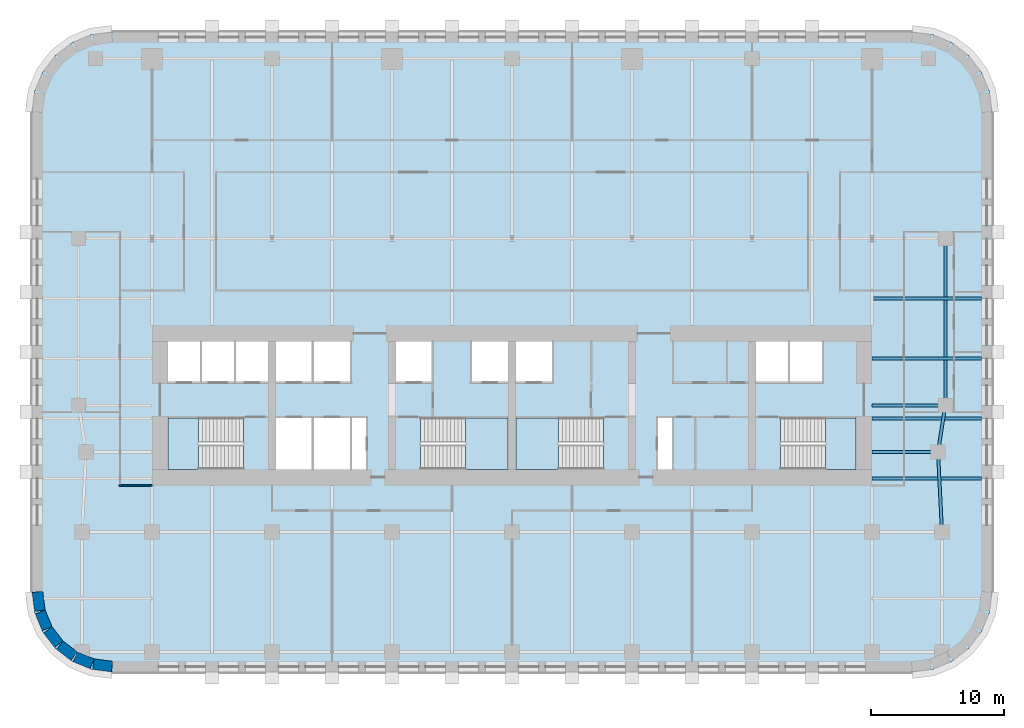
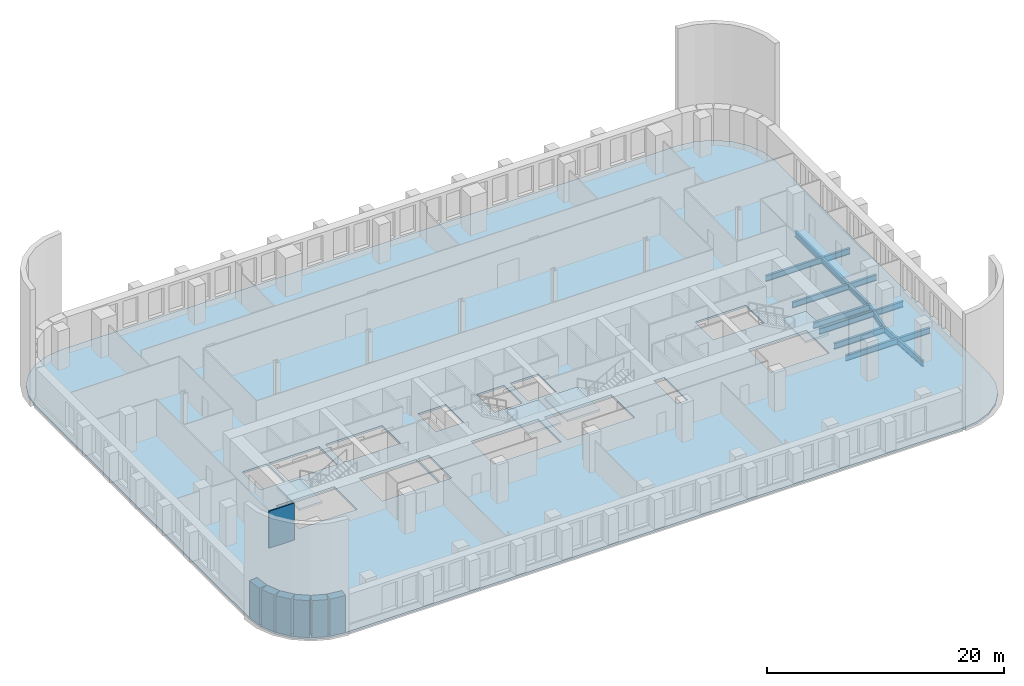
# One storey, part 2 of 12: 9 beams, 7 walls, 5 slabs, 4 elements without a shape of their own.
"""IFC4 building model written with IfcOpenShell, lengths in metres."""

from ifc_helpers import new_model, si_unit, direction, frame, frame_2d, origin, origin_2d, place, context, subcontext, project, spatial, polyline, rectangle, i_section, outline, extrude, material, layer, layer_set, material_profile, profile_set, type_object, element, aggregate, save


model = new_model("IFC4")

# Units and contexts
model_context = context("Model", 3, precision=1e-05, world=origin(), true_north=direction((0.0, 1.0)))
body_context = subcontext(model_context, "Body", "Model", "MODEL_VIEW")
ifc_project = project(units=[si_unit("LENGTHUNIT", "METRE"), si_unit("AREAUNIT", "SQUARE_METRE"), si_unit("VOLUMEUNIT", "CUBIC_METRE"), si_unit("PLANEANGLEUNIT", "RADIAN"), si_unit("MASSUNIT", "GRAM", prefix="KILO")], contexts=[model_context])

# Site, building, storey
site_placement = place(None, origin())
site = spatial("IfcSite", under=ifc_project, at=site_placement, CompositionType="ELEMENT")
building_placement = place(site_placement, origin())
building = spatial("IfcBuilding", under=site, at=building_placement, Name="Zellij Exchange Tower", CompositionType="ELEMENT")
storey_placement = place(building_placement, frame((0.0, 0.0, 88.5)))
storey = spatial("IfcBuildingStorey", under=building, at=storey_placement, Name="L18", CompositionType="ELEMENT", Elevation=88.5)

# Beams
ifc_material_1 = material(Name="Structural steel ASTM A992 Gr 50", Category="steel")
ifc_material_profile_1 = material_profile(ifc_material_1, i_section(OverallWidth=0.227783203125, OverallDepth=0.60205078125, WebThickness=0.010498046875, FlangeThickness=0.014892578125, at=origin_2d()), Name="W24x68")
ifc_profile_set_1 = profile_set([ifc_material_profile_1], Name="Structural steel ASTM A992 Gr 50")
beam_type_1 = type_object("IfcBeamType", Name="STR-BEAM W24x68", PredefinedType="BEAM", material=ifc_profile_set_1)
for number, where, z_axis, x_axis, name in (
    (1, (27.0, -13.5, -0.5009765625), (1.0, 0.0, 0.0), (0.0, 1.0, 0.0), "B5"),
    (2, (27.0, -9.0, -0.5009765625), (1.0, 0.0, 0.0), (0.0, 1.0, 0.0), "B5"),
    (3, (27.0, -4.5, -0.5009765625), (1.0, 0.0, 0.0), (0.0, 1.0, 0.0), "B5"),
    (4, (27.0, 0.0, -0.5009765625), (1.0, 0.0, 0.0), (0.0, 1.0, 0.0), "B5"),
):
    element("IfcBeam", number, at=place(storey_placement, frame(where, z_axis=z_axis, x_axis=x_axis)), inside=storey, type_object=beam_type_1, Name=name, PredefinedType="BEAM", context=body_context, shape_type="SweptSolid", body=[
        extrude(i_section(OverallWidth=0.227783203125, OverallDepth=0.60205078125, WebThickness=0.010498046875, FlangeThickness=0.014892578125, at=origin_2d()), origin(), (0.0, 0.0, 1.0), 8.199951171875),
    ])
ifc_material_profile_2 = material_profile(ifc_material_1, i_section(OverallWidth=0.22900390625, OverallDepth=0.612060546875, WebThickness=0.011962890625, FlangeThickness=0.01953125, at=origin_2d()), Name="W24x84")
ifc_profile_set_2 = profile_set([ifc_material_profile_2], Name="Structural steel ASTM A992 Gr 50")
beam_type_2 = type_object("IfcBeamType", Name="STR-EDGE GIRDER W24x84", PredefinedType="BEAM", material=ifc_profile_set_2)
beam_1_placement = place(storey_placement, frame((32.25, -17.5, -0.506103515625), z_axis=(-0.049945724537, 0.998751933465, 0.0), x_axis=(-0.998751933465, -0.049945724537, 0.0)))
element("IfcBeam", 5, at=beam_1_placement, inside=storey, type_object=beam_type_2, Name="EB6", PredefinedType="BEAM", context=body_context, shape_type="SweptSolid", body=[
    extrude(i_section(OverallWidth=0.22900390625, OverallDepth=0.612060546875, WebThickness=0.011962890625, FlangeThickness=0.01953125, at=origin_2d()), origin(), (0.0, 0.0, 1.0), 6.007568359375),
])
beam_2_placement = place(storey_placement, frame((31.949951171875, -11.5, -0.506103515625), z_axis=(0.155251283593, 0.987875011802, 0.0), x_axis=(-0.987875011802, 0.155251283593, 0.0)))
element("IfcBeam", 6, at=beam_2_placement, inside=storey, type_object=beam_type_2, Name="EB6", PredefinedType="BEAM", context=body_context, shape_type="SweptSolid", body=[
    extrude(i_section(OverallWidth=0.22900390625, OverallDepth=0.612060546875, WebThickness=0.011962890625, FlangeThickness=0.01953125, at=origin_2d()), origin(), (0.0, 0.0, 1.0), 3.54296875),
])
beam_3_placement = place(storey_placement, frame((32.5, -8.0, -0.506103515625), z_axis=(0.0, 1.0, 0.0), x_axis=(-1.0, 0.0, 0.0)))
element("IfcBeam", 7, at=beam_3_placement, inside=storey, type_object=beam_type_2, Name="EB6", PredefinedType="BEAM", context=body_context, shape_type="SweptSolid", body=[
    extrude(i_section(OverallWidth=0.22900390625, OverallDepth=0.612060546875, WebThickness=0.011962890625, FlangeThickness=0.01953125, at=origin_2d()), origin(), (0.0, 0.0, 1.0), 12.5),
])
ifc_material_profile_3 = material_profile(ifc_material_1, i_section(OverallWidth=0.22900390625, OverallDepth=0.612060546875, WebThickness=0.011962890625, FlangeThickness=0.01953125, at=origin_2d()), Name="W24x84")
ifc_profile_set_3 = profile_set([ifc_material_profile_3], Name="Structural steel ASTM A992 Gr 50")
beam_type_3 = type_object("IfcBeamType", Name="STR-GIRDER W24x84", PredefinedType="BEAM", material=ifc_profile_set_3)
beam_4_placement = place(storey_placement, frame((27.0, -11.5, -0.506103515625), z_axis=(1.0, 0.0, 0.0), x_axis=(0.0, 1.0, 0.0)))
element("IfcBeam", 8, at=beam_4_placement, inside=storey, type_object=beam_type_3, Name="G4", PredefinedType="BEAM", context=body_context, shape_type="SweptSolid", body=[
    extrude(i_section(OverallWidth=0.22900390625, OverallDepth=0.612060546875, WebThickness=0.011962890625, FlangeThickness=0.01953125, at=origin_2d()), origin(), (0.0, 0.0, 1.0), 4.949951171875),
])
beam_5_placement = place(storey_placement, frame((27.0, -8.0, -0.506103515625), z_axis=(1.0, 0.0, 0.0), x_axis=(0.0, 1.0, 0.0)))
element("IfcBeam", 9, at=beam_5_placement, inside=storey, type_object=beam_type_3, Name="G4", PredefinedType="BEAM", context=body_context, shape_type="SweptSolid", body=[
    extrude(i_section(OverallWidth=0.22900390625, OverallDepth=0.612060546875, WebThickness=0.011962890625, FlangeThickness=0.01953125, at=origin_2d()), origin(), (0.0, 0.0, 1.0), 5.5),
])

# Stair, slab
ifc_material_2 = material(Name="Concrete C40/50", Category="concrete")
stair_type = type_object("IfcStairType", Name="CORE-ST exit stair 1850 wide", PredefinedType="HALF_TURN_STAIR", material=ifc_material_2)
stair_1_placement = place(storey_placement, origin())
stair_1 = element("IfcStair", 10, at=stair_1_placement, inside=storey, type_object=stair_type, Name="L18 exit stair ST1", PredefinedType="HALF_TURN_STAIR")
ifc_layer_1 = layer(ifc_material_2, 0.199951171875)
ifc_layer_set_1 = layer_set([ifc_layer_1], Name="Concrete C40/50")
slab_type_1 = type_object("IfcSlabType", Name="CORE-SL stair landing 200", PredefinedType="LANDING", material=ifc_layer_set_1)
slab_1_placement = place(storey_placement, frame((0.0, 0.0, 1.800048828125)))
slab_1 = element("IfcSlab", 11, at=slab_1_placement, type_object=slab_type_1, Name="ST1 landing 1", PredefinedType="LANDING", context=body_context, shape_type="SweptSolid", body=[
    extrude(outline(polyline([(-23.510009765625, -8.949951171875), (-25.800048828125, -8.949951171875), (-25.800048828125, -12.800048828125), (-23.510009765625, -12.800048828125), (-23.510009765625, -8.949951171875)])), origin(), (0.0, 0.0, 1.0), 0.199951171875),
])
aggregate(stair_1, [slab_1])

stair_2_placement = place(storey_placement, origin())
stair_2 = element("IfcStair", 12, at=stair_2_placement, inside=storey, type_object=stair_type, Name="L18 exit stair ST2", PredefinedType="HALF_TURN_STAIR")
slab_2_placement = place(storey_placement, frame((0.0, 0.0, 1.800048828125)))
slab_2 = element("IfcSlab", 13, at=slab_2_placement, type_object=slab_type_1, Name="ST2 landing 1", PredefinedType="LANDING", context=body_context, shape_type="SweptSolid", body=[
    extrude(outline(polyline([(-3.489990234375, -12.800048828125), (-0.300048828125, -12.800048828125), (-0.300048828125, -8.949951171875), (-3.489990234375, -8.949951171875), (-3.489990234375, -12.800048828125)])), origin(), (0.0, 0.0, 1.0), 0.199951171875),
])
aggregate(stair_2, [slab_2])

stair_3_placement = place(storey_placement, origin())
stair_3 = element("IfcStair", 14, at=stair_3_placement, inside=storey, type_object=stair_type, Name="L18 exit stair ST3", PredefinedType="HALF_TURN_STAIR")
slab_3_placement = place(storey_placement, frame((0.0, 0.0, 1.800048828125)))
slab_3 = element("IfcSlab", 15, at=slab_3_placement, type_object=slab_type_1, Name="ST3 landing 1", PredefinedType="LANDING", context=body_context, shape_type="SweptSolid", body=[
    extrude(outline(polyline([(3.489990234375, -8.949951171875), (0.300048828125, -8.949951171875), (0.300048828125, -12.800048828125), (3.489990234375, -12.800048828125), (3.489990234375, -8.949951171875)])), origin(), (0.0, 0.0, 1.0), 0.199951171875),
])
aggregate(stair_3, [slab_3])

stair_4_placement = place(storey_placement, origin())
stair_4 = element("IfcStair", 16, at=stair_4_placement, inside=storey, type_object=stair_type, Name="L18 exit stair ST4", PredefinedType="HALF_TURN_STAIR")
slab_4_placement = place(storey_placement, frame((0.0, 0.0, 1.800048828125)))
slab_4 = element("IfcSlab", 17, at=slab_4_placement, type_object=slab_type_1, Name="ST4 landing 1", PredefinedType="LANDING", context=body_context, shape_type="SweptSolid", body=[
    extrude(outline(polyline([(23.510009765625, -12.800048828125), (25.800048828125, -12.800048828125), (25.800048828125, -8.949951171875), (23.510009765625, -8.949951171875), (23.510009765625, -12.800048828125)])), origin(), (0.0, 0.0, 1.0), 0.199951171875),
])
aggregate(stair_4, [slab_4])

# Slab
ifc_layer_2 = layer(ifc_material_2, 0.199951171875)
ifc_layer_set_2 = layer_set([ifc_layer_2], Name="Concrete C40/50")
slab_type_2 = type_object("IfcSlabType", Name="STR-FLOOR SLAB 200 C40/50", PredefinedType="FLOOR", material=ifc_layer_set_2)
slab_5_placement = place(storey_placement, frame((0.0, 0.0, -0.2001953125)))
element("IfcSlab", 18, at=slab_5_placement, inside=storey, type_object=slab_type_2, Name="Floor L18", PredefinedType="FLOOR", context=body_context, shape_type="SweptSolid", body=[
    extrude(outline(polyline([(-30.0, -28.0), (-31.552978515625, -27.795654296875), (-33.0, -27.1962890625), (-34.24267578125, -26.24267578125), (-35.1962890625, -25.0), (-35.795654296875, -23.552978515625), (-36.0, -22.0), (-36.0, 14.0), (-35.795654296875, 15.552978515625), (-35.1962890625, 17.0), (-34.24267578125, 18.24267578125), (-33.0, 19.1962890625), (-31.552978515625, 19.795654296875), (-30.0, 20.0), (30.0, 20.0), (31.552978515625, 19.795654296875), (33.0, 19.1962890625), (34.24267578125, 18.24267578125), (35.1962890625, 17.0), (35.795654296875, 15.552978515625), (36.0, 14.0), (36.0, -22.0), (35.795654296875, -23.552978515625), (35.1962890625, -25.0), (34.24267578125, -26.24267578125), (33.0, -27.1962890625), (31.552978515625, -27.795654296875), (30.0, -28.0), (-30.0, -28.0)]), holes=[polyline([(-25.800048828125, -8.949951171875), (-25.800048828125, -12.800048828125), (-20.153076171875, -12.800048828125), (-20.153076171875, -8.949951171875), (-25.800048828125, -8.949951171875)]), polyline([(-12.14990234375, -8.949951171875), (-17.699951171875, -8.949951171875), (-17.699951171875, -12.800048828125), (-12.14990234375, -12.800048828125), (-12.14990234375, -8.949951171875)]), polyline([(-10.949951171875, -8.949951171875), (-12.0, -8.949951171875), (-12.0, -12.800048828125), (-10.949951171875, -12.800048828125), (-10.949951171875, -8.949951171875)]), polyline([(-23.39990234375, -3.199951171875), (-25.800048828125, -3.199951171875), (-25.800048828125, -6.22509765625), (-23.39990234375, -6.22509765625), (-23.39990234375, -3.199951171875)]), polyline([(-18.300048828125, -3.199951171875), (-23.25, -3.199951171875), (-23.25, -6.22509765625), (-18.300048828125, -6.22509765625), (-18.300048828125, -3.199951171875)]), polyline([(-12.14990234375, -3.199951171875), (-17.699951171875, -3.199951171875), (-17.699951171875, -6.22509765625), (-12.14990234375, -6.22509765625), (-12.14990234375, -3.199951171875)]), polyline([(-6.0, -3.199951171875), (-8.699951171875, -3.199951171875), (-8.699951171875, -6.22509765625), (-6.0, -6.22509765625), (-6.0, -3.199951171875)]), polyline([(-6.846923828125, -8.949951171875), (-6.846923828125, -12.800048828125), (-0.300048828125, -12.800048828125), (-0.300048828125, -8.949951171875), (-6.846923828125, -8.949951171875)]), polyline([(6.846923828125, -8.949951171875), (0.300048828125, -8.949951171875), (0.300048828125, -12.800048828125), (6.846923828125, -12.800048828125), (6.846923828125, -8.949951171875)]), polyline([(12.0, -8.949951171875), (10.949951171875, -8.949951171875), (10.949951171875, -12.800048828125), (12.0, -12.800048828125), (12.0, -8.949951171875)]), polyline([(25.800048828125, -8.949951171875), (20.153076171875, -8.949951171875), (20.153076171875, -12.800048828125), (25.800048828125, -12.800048828125), (25.800048828125, -8.949951171875)]), polyline([(-0.300048828125, -3.199951171875), (-3.0, -3.199951171875), (-3.0, -6.22509765625), (-0.300048828125, -6.22509765625), (-0.300048828125, -3.199951171875)]), polyline([(3.0, -3.199951171875), (0.300048828125, -3.199951171875), (0.300048828125, -6.22509765625), (3.0, -6.22509765625), (3.0, -3.199951171875)]), polyline([(23.25, -3.199951171875), (18.300048828125, -3.199951171875), (18.300048828125, -6.22509765625), (23.25, -6.22509765625), (23.25, -3.199951171875)])]), origin(), (0.0, 0.0, 1.0), 0.2001953125),
])

# Walls
ifc_material_3 = material(Name="Precast concrete C40/50", Category="concrete")
ifc_layer_3 = layer(ifc_material_3, 0.800048828125)
ifc_layer_set_3 = layer_set([ifc_layer_3], Name="Precast concrete C40/50")
wall_type_1 = type_object("IfcWallType", Name="ENV-EW1 Precast stone-piered wall 800", PredefinedType="SOLIDWALL", material=ifc_layer_set_3)
wall_1_placement = place(storey_placement, frame((-35.5966796875, -21.999755859375, 0.0), z_axis=(0.0, 0.0, 1.0), x_axis=(0.130517283865, -0.99144603414, 0.0)))
element("IfcWall", 19, at=wall_1_placement, inside=storey, type_object=wall_type_1, Name="fac.L18.22", PredefinedType="SOLIDWALL", context=body_context, shape_type="SweptSolid", body=[
    extrude(rectangle(XDim=1.408447265625, YDim=0.800048828125, at=frame_2d((0.7041015625, 0.0))), origin(), (0.0, 0.0, 1.0), 3.800048828125),
])
wall_2_placement = place(storey_placement, frame((-35.3857421875, -23.497314453125, 0.0), z_axis=(0.0, 0.0, 1.0), x_axis=(0.38276009378, -0.923847774587, 0.0)))
element("IfcWall", 20, at=wall_2_placement, inside=storey, type_object=wall_type_1, Name="fac.L18.23", PredefinedType="SOLIDWALL", context=body_context, shape_type="SweptSolid", body=[
    extrude(rectangle(XDim=1.35546875, YDim=0.800048828125, at=frame_2d((0.677734375, 0.0))), origin(), (0.0, 0.0, 1.0), 3.800048828125),
])
for number, where, z_axis, x_axis, name in (
    (21, (-34.814697265625, -24.840087890625, 0.0), (0.0, 0.0, 1.0), (0.608866226366, -0.793272915452, 0.0), "fac.L18.24"),
    (22, (-33.91552734375, -25.9892578125, 0.0), (0.0, 0.0, 1.0), (0.793272915452, -0.608866226366, 0.0), "fac.L18.25"),
):
    element("IfcWall", number, at=place(storey_placement, frame(where, z_axis=z_axis, x_axis=x_axis)), inside=storey, type_object=wall_type_1, Name=name, PredefinedType="SOLIDWALL", context=body_context, shape_type="SweptSolid", body=[
        extrude(rectangle(XDim=1.355712890625, YDim=0.800048828125, at=frame_2d((0.677734375, 0.0))), origin(), (0.0, 0.0, 1.0), 3.800048828125),
    ])
wall_3_placement = place(storey_placement, frame((-32.74951171875, -26.866943359375, 0.0), z_axis=(0.0, 0.0, 1.0), x_axis=(0.923847774587, -0.38276009378, 0.0)))
element("IfcWall", 23, at=wall_3_placement, inside=storey, type_object=wall_type_1, Name="fac.L18.26", PredefinedType="SOLIDWALL", context=body_context, shape_type="SweptSolid", body=[
    extrude(rectangle(XDim=1.35546875, YDim=0.800048828125, at=frame_2d((0.677734375, 0.0))), origin(), (0.0, 0.0, 1.0), 3.800048828125),
])
wall_4_placement = place(storey_placement, frame((-31.396240234375, -27.412841796875, 0.0), z_axis=(0.0, 0.0, 1.0), x_axis=(0.99144603414, -0.130517283865, 0.0)))
element("IfcWall", 24, at=wall_4_placement, inside=storey, type_object=wall_type_1, Name="fac.L18.27", PredefinedType="SOLIDWALL", context=body_context, shape_type="SweptSolid", body=[
    extrude(rectangle(XDim=1.408447265625, YDim=0.800048828125, at=frame_2d((0.7041015625, 0.0))), origin(), (0.0, 0.0, 1.0), 3.800048828125),
])
ifc_material_4 = material(Name="Gypsum board partition on steel studs", Category="steel")
ifc_layer_4 = layer(ifc_material_4, 0.10009765625)
ifc_layer_set_4 = layer_set([ifc_layer_4], Name="Gypsum board partition on steel studs")
wall_type_2 = type_object("IfcWallType", Name="FIT-PARTITION-100", PredefinedType="PARTITIONING", material=ifc_layer_set_4)
wall_5_placement = place(storey_placement, frame((-29.449951171875, -14.0, 0.0), z_axis=(0.0, 0.0, 1.0), x_axis=(1.0, 0.0, 0.0)))
element("IfcWall", 25, at=wall_5_placement, inside=storey, type_object=wall_type_2, Name="FIT-PARTITION-100 013", PredefinedType="PARTITIONING", context=body_context, shape_type="SweptSolid", body=[
    extrude(rectangle(XDim=2.449951171875, YDim=0.10009765625, at=frame_2d((1.22509765625, 0.0))), origin(), (0.0, 0.0, 1.0), 3.800048828125),
])

save(model, "model.ifc")
